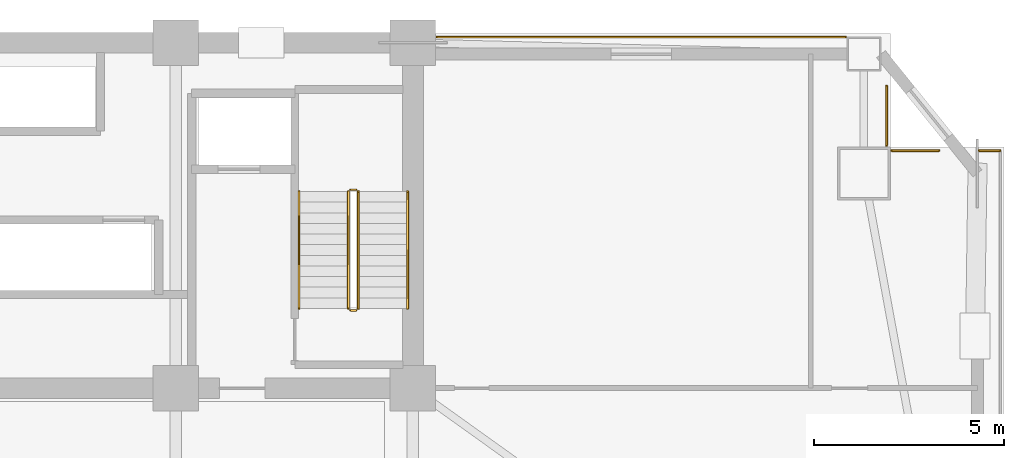
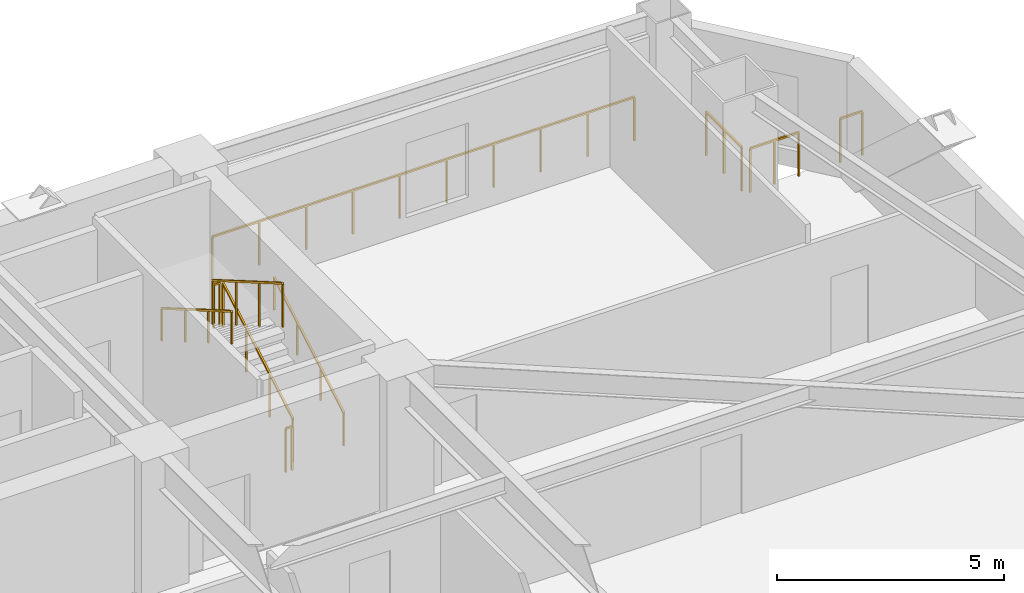
# One storey, part 15 of 15: 10 railings.
"""IFC4 building model written with IfcOpenShell, lengths in metres."""

import ifcopenshell
import ifcopenshell.guid

model = None  # the IFC model being written
_history = None  # IfcOwnerHistory: only IFC2X3 demands one
_inside = {}  # id of a spatial element -> (the spatial element, [elements in it])
_under = {}  # id of a project, library or spatial element -> (it, [spatial elements below it])
_declared = {}  # id of a project -> (the project, [libraries it declares])
_typed = {}  # id of a type object -> (the type object, [elements of that type])
_made_of = {}  # id of a material, layer set ... -> (it, [elements and type objects made of it])


def new_model(schema):
    """Start an empty IFC model of exactly this schema.

    Asked for "IFC4X3", IfcOpenShell would pick the latest addendum, in which some entities
    have other attributes; the version numbers below select the first issue.
    IFC2X3 requires an IfcOwnerHistory on every rooted entity: one is made here for all.
    """
    global model, _history
    if schema == "IFC4X3":
        model = ifcopenshell.file(schema_version=(4, 3, 0, 0))
    else:
        model = ifcopenshell.file(schema=schema)
    _inside.clear()
    _under.clear()
    _declared.clear()
    _typed.clear()
    _made_of.clear()
    _history = None
    if model.schema == "IFC2X3":
        org = make("IfcOrganization", Name="unknown")
        user = make(
            "IfcPersonAndOrganization",
            ThePerson=make("IfcPerson", FamilyName="unknown"),
            TheOrganization=org,
        )
        app = make(
            "IfcApplication",
            ApplicationDeveloper=org,
            Version="unknown",
            ApplicationFullName="unknown",
            ApplicationIdentifier="unknown",
        )
        _history = make(
            "IfcOwnerHistory",
            OwningUser=user,
            OwningApplication=app,
            ChangeAction="ADDED",
            CreationDate=0,
        )
    return model


def make(cls, **values):
    """One entity of the class cls with the attributes given. An attribute that is None is left unset."""
    return model.create_entity(
        cls, **{name: value for name, value in values.items() if value is not None}
    )


def rooted(cls, **values):
    """An entity with a GlobalId (a new one), such as an element, a storey or a relation."""
    return make(cls, GlobalId=ifcopenshell.guid.new(), OwnerHistory=_history, **values)


def si_unit(unit_type, name, prefix=None):
    """IfcSIUnit, for example si_unit("LENGTHUNIT", "METRE", prefix="MILLI")."""
    return make("IfcSIUnit", UnitType=unit_type, Prefix=prefix, Name=name)


def assignment(units):
    """IfcUnitAssignment: the units of a project."""
    return None if units is None else make("IfcUnitAssignment", Units=units)


def point(xyz):
    """IfcCartesianPoint."""
    return None if xyz is None else make("IfcCartesianPoint", Coordinates=xyz)


def direction(xyz):
    """IfcDirection."""
    return None if xyz is None else make("IfcDirection", DirectionRatios=xyz)


def frame(location, z_axis=None, x_axis=None):
    """IfcAxis2Placement3D, a coordinate frame: its origin and axes. An axis left out is left unset."""
    return make(
        "IfcAxis2Placement3D",
        Location=point(location),
        Axis=direction(z_axis),
        RefDirection=direction(x_axis),
    )


def frame_2d(location, x_axis=None):
    """IfcAxis2Placement2D, a coordinate frame in the plane: its origin and x axis."""
    return make(
        "IfcAxis2Placement2D", Location=point(location), RefDirection=direction(x_axis)
    )


def origin():
    """The frame at (0, 0, 0) with its axes left unset."""
    return frame((0.0, 0.0, 0.0))


def origin_2d():
    """The frame at (0, 0) in the plane with its x axis left unset."""
    return frame_2d((0.0, 0.0))


def place(relative_to, where):
    """IfcLocalPlacement: puts the frame where relative to a parent placement (None: the world)."""
    return make(
        "IfcLocalPlacement", PlacementRelTo=relative_to, RelativePlacement=where
    )


def context(
    kind, dimensions, precision=None, world=None, true_north=None, identifier=None
):
    """IfcGeometricRepresentationContext, for example the 3D "Model" context."""
    return make(
        "IfcGeometricRepresentationContext",
        ContextIdentifier=identifier,
        ContextType=kind,
        CoordinateSpaceDimension=dimensions,
        Precision=precision,
        WorldCoordinateSystem=world,
        TrueNorth=true_north,
    )


def subcontext(parent, identifier, kind, view, scale=None):
    """IfcGeometricRepresentationSubContext, for example "Body" below "Model"."""
    return make(
        "IfcGeometricRepresentationSubContext",
        ContextIdentifier=identifier,
        ContextType=kind,
        ParentContext=parent,
        TargetScale=scale,
        TargetView=view,
    )


def project(units=None, contexts=None):
    """IfcProject with its units and contexts."""
    return rooted(
        "IfcProject",
        Name="project",
        RepresentationContexts=contexts,
        UnitsInContext=assignment(units),
    )


def spatial(cls, under=None, at=None, **own):
    """A site, building, storey or space (cls), placed at a placement, below another one or the project."""
    s = rooted(cls, ObjectPlacement=at, **own)
    if under is not None:
        _under.setdefault(under.id(), (under, []))[1].append(s)
    return s


def profile(cls, at=None, kind="AREA", **sizes):
    """A parametric profile (cls). Its sizes go by their IFC names, for example OverallWidth=200.0."""
    return make(cls, ProfileType=kind, Position=at, **sizes)


def rectangle(**sizes):
    """IfcRectangleProfileDef."""
    return profile("IfcRectangleProfileDef", **sizes)


def extrude(swept, where, along, depth):
    """IfcExtrudedAreaSolid: the profile swept, set in the frame where, extruded along a direction by depth."""
    return make(
        "IfcExtrudedAreaSolid",
        SweptArea=swept,
        Position=where,
        ExtrudedDirection=direction(along),
        Depth=depth,
    )


def shape(context_of_items, identifier, shape_type, items):
    """IfcShapeRepresentation: the items that make up one representation, for example the "Body"."""
    return make(
        "IfcShapeRepresentation",
        ContextOfItems=context_of_items,
        RepresentationIdentifier=identifier,
        RepresentationType=shape_type,
        Items=items,
    )


def material(Name=None, Category=None):
    """IfcMaterial."""
    return make("IfcMaterial", Name=Name, Category=Category)


def made_of(thing, what):
    """Note that an element or type object is made of a material, layer set ...; save() writes the relation."""
    if what is not None:
        _made_of.setdefault(what.id(), (what, []))[1].append(thing)
    return thing


def type_object(cls, material=None, **own):
    """A type object (cls), such as IfcWallType, which elements share."""
    return made_of(rooted(cls, **own), material)


def element(
    cls,
    number,
    at=None,
    inside=None,
    cuts=None,
    type_object=None,
    material=None,
    context=None,
    identifier="Body",
    shape_type=None,
    held_by="IfcProductDefinitionShape",
    body=None,
    shapes=None,
    **own,
):
    """One element of the class cls, such as IfcWall. Its Tag is "e" and its number.

    at: its placement. inside: the storey or other place that contains it. cuts: it is an
    opening in that element (IfcRelVoidsElement). A single representation is given by context,
    identifier, shape_type and body (its items); several are given by shapes. held_by: the class
    of the entity that holds the representations. save() writes the other relations.
    """
    e = rooted(cls, Tag="e%d" % number, ObjectPlacement=at, **own)
    if body is not None:
        shapes = [shape(context, identifier, shape_type, body)]
    if shapes is not None:
        e.Representation = make(held_by, Representations=shapes)
    if inside is not None:
        _inside.setdefault(inside.id(), (inside, []))[1].append(e)
    if cuts is not None:
        rooted(
            "IfcRelVoidsElement", RelatingBuildingElement=cuts, RelatedOpeningElement=e
        )
    if type_object is not None:
        _typed.setdefault(type_object.id(), (type_object, []))[1].append(e)
    return made_of(e, material)


def aggregate(whole, parts):
    """IfcRelAggregates: a whole, such as a stair, and the parts it consists of."""
    return rooted("IfcRelAggregates", RelatingObject=whole, RelatedObjects=parts)


def save(model, path):
    """Write the relations noted so far, then the file.

    IfcRelAggregates (storeys below a building ...), IfcRelContainedInSpatialStructure (elements
    in a storey), IfcRelDefinesByType, IfcRelAssociatesMaterial and IfcRelDeclares: one each for
    every whole, place, type object, material and project.
    """
    for whole, parts in _under.values():
        aggregate(whole, parts)
    for where, things in _inside.values():
        rooted(
            "IfcRelContainedInSpatialStructure",
            RelatedElements=things,
            RelatingStructure=where,
        )
    for kind, things in _typed.values():
        rooted("IfcRelDefinesByType", RelatedObjects=things, RelatingType=kind)
    for what, things in _made_of.values():
        rooted("IfcRelAssociatesMaterial", RelatedObjects=things, RelatingMaterial=what)
    for by, libraries in _declared.values():
        rooted("IfcRelDeclares", RelatingContext=by, RelatedDefinitions=libraries)
    model.write(path)


model = new_model("IFC4")

# Units and contexts
model_context = context("Model", 3, precision=1e-05, world=origin(), true_north=direction((0.0, 1.0)))
body_context = subcontext(model_context, "Body", "Model", "MODEL_VIEW")
ifc_project = project(units=[si_unit("LENGTHUNIT", "METRE"), si_unit("AREAUNIT", "SQUARE_METRE"), si_unit("VOLUMEUNIT", "CUBIC_METRE"), si_unit("PLANEANGLEUNIT", "RADIAN"), si_unit("MASSUNIT", "GRAM", prefix="KILO")], contexts=[model_context])

# Site, building, storey
site_placement = place(None, origin())
site = spatial("IfcSite", under=ifc_project, at=site_placement, CompositionType="ELEMENT")
building_placement = place(site_placement, origin())
building = spatial("IfcBuilding", under=site, at=building_placement, Name="Giltprow Tower", CompositionType="ELEMENT")
storey_placement = place(building_placement, frame((0.0, 0.0, 123.10009765625)))
storey = spatial("IfcBuildingStorey", under=building, at=storey_placement, Name="L30", CompositionType="ELEMENT", Elevation=123.10009765625)

# Railings
ifc_material = material(Name="Anodized bronze", Category="metal")
railing_type_1 = type_object("IfcRailingType", Name="RAIL-BALC-GUARD-1200", PredefinedType="BALUSTRADE", material=ifc_material)
railing_1_placement = place(storey_placement, frame((51.18505859375, 46.699951171875, 0.0)))
element("IfcRailing", 1, at=railing_1_placement, inside=storey, type_object=railing_type_1, Name="L30 Corner Apron Edge Balustrade 10", PredefinedType="BALUSTRADE", context=body_context, shape_type="SweptSolid", body=[
    extrude(rectangle(XDim=0.048095703125, YDim=0.048095703125, at=origin_2d()), frame((0.0, 0.0, 1.17578125), z_axis=(1.0, 0.0, 0.0), x_axis=(0.0, 1.0, 0.0)), (0.0, 0.0, 1.0), 10.760009765625),
    extrude(rectangle(XDim=0.0419921875, YDim=0.0419921875, at=origin_2d()), origin(), (0.0, 0.0, 1.0), 1.15185546875),
    extrude(rectangle(XDim=0.0419921875, YDim=0.0419921875, at=origin_2d()), frame((1.195556640625, 0.0, 0.0)), (0.0, 0.0, 1.0), 1.15185546875),
    extrude(rectangle(XDim=0.0419921875, YDim=0.0419921875, at=origin_2d()), frame((2.39111328125, 0.0, 0.0)), (0.0, 0.0, 1.0), 1.15185546875),
    extrude(rectangle(XDim=0.0419921875, YDim=0.0419921875, at=origin_2d()), frame((3.586669921875, 0.0, 0.0)), (0.0, 0.0, 1.0), 1.15185546875),
    extrude(rectangle(XDim=0.0419921875, YDim=0.0419921875, at=origin_2d()), frame((4.7822265625, 0.0, 0.0)), (0.0, 0.0, 1.0), 1.15185546875),
    extrude(rectangle(XDim=0.0419921875, YDim=0.0419921875, at=origin_2d()), frame((5.977783203125, 0.0, 0.0)), (0.0, 0.0, 1.0), 1.15185546875),
    extrude(rectangle(XDim=0.0419921875, YDim=0.0419921875, at=origin_2d()), frame((7.17333984375, 0.0, 0.0)), (0.0, 0.0, 1.0), 1.15185546875),
    extrude(rectangle(XDim=0.0419921875, YDim=0.0419921875, at=origin_2d()), frame((8.368896484375, 0.0, 0.0)), (0.0, 0.0, 1.0), 1.15185546875),
    extrude(rectangle(XDim=0.0419921875, YDim=0.0419921875, at=origin_2d()), frame((9.564453125, 0.0, 0.0)), (0.0, 0.0, 1.0), 1.15185546875),
    extrude(rectangle(XDim=0.0419921875, YDim=0.0419921875, at=origin_2d()), frame((10.760009765625, 0.0, 0.0)), (0.0, 0.0, 1.0), 1.15185546875),
])
railing_2_placement = place(storey_placement, frame((63.030029296875, 45.4130859375, 0.0)))
element("IfcRailing", 2, at=railing_2_placement, inside=storey, type_object=railing_type_1, Name="L30 Corner Apron Edge Balustrade 11", PredefinedType="BALUSTRADE", context=body_context, shape_type="SweptSolid", body=[
    extrude(rectangle(XDim=0.048095703125, YDim=0.048095703125, at=origin_2d()), frame((0.0, 0.0, 1.17578125), z_axis=(0.0, -1.0, 0.0), x_axis=(1.0, 0.0, 0.0)), (0.0, 0.0, 1.0), 1.569091796875),
    extrude(rectangle(XDim=0.0419921875, YDim=0.0419921875, at=origin_2d()), origin(), (0.0, 0.0, 1.0), 1.15185546875),
    extrude(rectangle(XDim=0.0419921875, YDim=0.0419921875, at=origin_2d()), frame((0.0, -0.78466796875, 0.0)), (0.0, 0.0, 1.0), 1.15185546875),
    extrude(rectangle(XDim=0.0419921875, YDim=0.0419921875, at=origin_2d()), frame((0.0, -1.569091796875, 0.0)), (0.0, 0.0, 1.0), 1.15185546875),
])
railing_3_placement = place(storey_placement, frame((63.1650390625, 43.708984375, 0.0)))
element("IfcRailing", 3, at=railing_3_placement, inside=storey, type_object=railing_type_1, Name="L30 Corner Apron Edge Balustrade 12", PredefinedType="BALUSTRADE", context=body_context, shape_type="SweptSolid", body=[
    extrude(rectangle(XDim=0.048095703125, YDim=0.048095703125, at=origin_2d()), frame((0.0, 0.0, 1.17578125), z_axis=(1.0, 0.0, 0.0), x_axis=(0.0, 1.0, 0.0)), (0.0, 0.0, 1.0), 1.242919921875),
    extrude(rectangle(XDim=0.0419921875, YDim=0.0419921875, at=origin_2d()), origin(), (0.0, 0.0, 1.0), 1.15185546875),
    extrude(rectangle(XDim=0.0419921875, YDim=0.0419921875, at=origin_2d()), frame((0.62158203125, 0.0, 0.0)), (0.0, 0.0, 1.0), 1.15185546875),
    extrude(rectangle(XDim=0.0419921875, YDim=0.0419921875, at=origin_2d()), frame((1.242919921875, 0.0, 0.0)), (0.0, 0.0, 1.0), 1.15185546875),
])
railing_4_placement = place(storey_placement, frame((65.462890625, 43.708984375, 0.0)))
element("IfcRailing", 4, at=railing_4_placement, inside=storey, type_object=railing_type_1, Name="L30 Corner Apron Edge Balustrade 13", PredefinedType="BALUSTRADE", context=body_context, shape_type="SweptSolid", body=[
    extrude(rectangle(XDim=0.048095703125, YDim=0.048095703125, at=origin_2d()), frame((0.0, 0.0, 1.17578125), z_axis=(1.0, 0.0, 0.0), x_axis=(0.0, 1.0, 0.0)), (0.0, 0.0, 1.0), 0.55810546875),
    extrude(rectangle(XDim=0.0419921875, YDim=0.0419921875, at=origin_2d()), origin(), (0.0, 0.0, 1.0), 1.15185546875),
    extrude(rectangle(XDim=0.0419921875, YDim=0.0419921875, at=origin_2d()), frame((0.55810546875, 0.0, 0.0)), (0.0, 0.0, 1.0), 1.15185546875),
])
railing_type_2 = type_object("IfcRailingType", Name="RAIL-STAIR-GUARD-1200", PredefinedType="GUARDRAIL", material=ifc_material)
railing_5_placement = place(storey_placement, frame((49.110107421875, 39.550048828125, 0.162353515625)))
element("IfcRailing", 5, at=railing_5_placement, inside=storey, type_object=railing_type_2, Name="L30 ST-3 stair guard 1", PredefinedType="GUARDRAIL", context=body_context, shape_type="SweptSolid", body=[
    extrude(rectangle(XDim=0.048095703125, YDim=0.048095703125, at=origin_2d()), frame((0.0, 0.0, 1.17578125), z_axis=(0.0, 0.864873446163, 0.501989962173), x_axis=(-1.0, 0.0, 0.0)), (0.0, 0.0, 1.0), 3.56103515625),
    extrude(rectangle(XDim=0.0419921875, YDim=0.0419921875, at=origin_2d()), origin(), (0.0, 0.0, 1.0), 1.15185546875),
    extrude(rectangle(XDim=0.0419921875, YDim=0.0419921875, at=origin_2d()), frame((0.0, 1.026611328125, 0.595947265625)), (0.0, 0.0, 1.0), 1.15185546875),
    extrude(rectangle(XDim=0.0419921875, YDim=0.0419921875, at=origin_2d()), frame((0.0, 2.05322265625, 1.191650390625)), (0.0, 0.0, 1.0), 1.15185546875),
    extrude(rectangle(XDim=0.0419921875, YDim=0.0419921875, at=origin_2d()), frame((0.0, 3.079833984375, 1.78759765625)), (0.0, 0.0, 1.0), 1.15185546875),
])
railing_6_placement = place(storey_placement, frame((49.06005859375, 42.679931640625, 1.949951171875)))
element("IfcRailing", 6, at=railing_6_placement, inside=storey, type_object=railing_type_2, Name="L30 ST-3 stair guard 2", PredefinedType="GUARDRAIL", context=body_context, shape_type="SweptSolid", body=[
    extrude(rectangle(XDim=0.048095703125, YDim=0.048095703125, at=origin_2d()), frame((0.0, 0.0, 1.17578125), z_axis=(-1.0, 0.0, 0.0), x_axis=(0.0, -1.0, 0.0)), (0.0, 0.0, 1.0), 0.16015625),
    extrude(rectangle(XDim=0.0419921875, YDim=0.0419921875, at=origin_2d()), origin(), (0.0, 0.0, 1.0), 1.15185546875),
    extrude(rectangle(XDim=0.0419921875, YDim=0.0419921875, at=origin_2d()), frame((-0.16015625, 0.0, 0.0)), (0.0, 0.0, 1.0), 1.15185546875),
])
railing_7_placement = place(storey_placement, frame((48.85009765625, 42.6298828125, 2.1123046875)))
element("IfcRailing", 7, at=railing_7_placement, inside=storey, type_object=railing_type_2, Name="L30 ST-3 stair guard 3", PredefinedType="GUARDRAIL", context=body_context, shape_type="SweptSolid", body=[
    extrude(rectangle(XDim=0.048095703125, YDim=0.048095703125, at=origin_2d()), frame((0.0, 0.0, 1.17578125), z_axis=(0.0, -0.864873446163, 0.501989962173), x_axis=(1.0, 0.0, 0.0)), (0.0, 0.0, 1.0), 3.56103515625),
    extrude(rectangle(XDim=0.0419921875, YDim=0.0419921875, at=origin_2d()), origin(), (0.0, 0.0, 1.0), 1.15185546875),
    extrude(rectangle(XDim=0.0419921875, YDim=0.0419921875, at=origin_2d()), frame((0.0, -1.026611328125, 0.595947265625)), (0.0, 0.0, 1.0), 1.15185546875),
    extrude(rectangle(XDim=0.0419921875, YDim=0.0419921875, at=origin_2d()), frame((0.0, -2.05322265625, 1.191650390625)), (0.0, 0.0, 1.0), 1.15185546875),
    extrude(rectangle(XDim=0.0419921875, YDim=0.0419921875, at=origin_2d()), frame((0.0, -3.079833984375, 1.78759765625)), (0.0, 0.0, 1.0), 1.15185546875),
])
railing_8_placement = place(storey_placement, frame((49.06005859375, 39.5, 0.0)))
element("IfcRailing", 8, at=railing_8_placement, inside=storey, type_object=railing_type_2, Name="L30 ST-3 stair guard 4", PredefinedType="GUARDRAIL", context=body_context, shape_type="SweptSolid", body=[
    extrude(rectangle(XDim=0.048095703125, YDim=0.048095703125, at=origin_2d()), frame((0.0, 0.0, 1.17578125), z_axis=(-1.0, 0.0, 0.0), x_axis=(0.0, -1.0, 0.0)), (0.0, 0.0, 1.0), 0.16015625),
    extrude(rectangle(XDim=0.0419921875, YDim=0.0419921875, at=origin_2d()), origin(), (0.0, 0.0, 1.0), 1.15185546875),
    extrude(rectangle(XDim=0.0419921875, YDim=0.0419921875, at=origin_2d()), frame((-0.16015625, 0.0, 0.0)), (0.0, 0.0, 1.0), 1.15185546875),
])
railing_type_3 = type_object("IfcRailingType", Name="RAIL-STAIR-HAND-900", PredefinedType="HANDRAIL", material=ifc_material)
railing_9_placement = place(storey_placement, frame((50.409912109375, 39.550048828125, 0.162353515625)))
element("IfcRailing", 9, at=railing_9_placement, inside=storey, type_object=railing_type_3, Name="L30 ST-3 stair handrail 1", PredefinedType="HANDRAIL", context=body_context, shape_type="SweptSolid", body=[
    extrude(rectangle(XDim=0.048095703125, YDim=0.048095703125, at=origin_2d()), frame((0.0, 0.0, 0.8759765625), z_axis=(0.0, 0.864873446163, 0.501989962173), x_axis=(-1.0, 0.0, 0.0)), (0.0, 0.0, 1.0), 3.56103515625),
    extrude(rectangle(XDim=0.0419921875, YDim=0.0419921875, at=origin_2d()), origin(), (0.0, 0.0, 1.0), 0.851806640625),
    extrude(rectangle(XDim=0.0419921875, YDim=0.0419921875, at=origin_2d()), frame((0.0, 1.026611328125, 0.595947265625)), (0.0, 0.0, 1.0), 0.851806640625),
    extrude(rectangle(XDim=0.0419921875, YDim=0.0419921875, at=origin_2d()), frame((0.0, 2.05322265625, 1.191650390625)), (0.0, 0.0, 1.0), 0.851806640625),
    extrude(rectangle(XDim=0.0419921875, YDim=0.0419921875, at=origin_2d()), frame((0.0, 3.079833984375, 1.78759765625)), (0.0, 0.0, 1.0), 0.851806640625),
])
railing_10_placement = place(storey_placement, frame((47.550048828125, 42.6298828125, 2.1123046875)))
element("IfcRailing", 10, at=railing_10_placement, inside=storey, type_object=railing_type_3, Name="L30 ST-3 stair handrail 2", PredefinedType="HANDRAIL", context=body_context, shape_type="SweptSolid", body=[
    extrude(rectangle(XDim=0.048095703125, YDim=0.048095703125, at=origin_2d()), frame((0.0, 0.0, 0.8759765625), z_axis=(0.0, -0.864873446163, 0.501989962173), x_axis=(1.0, 0.0, 0.0)), (0.0, 0.0, 1.0), 3.56103515625),
    extrude(rectangle(XDim=0.0419921875, YDim=0.0419921875, at=origin_2d()), origin(), (0.0, 0.0, 1.0), 0.851806640625),
    extrude(rectangle(XDim=0.0419921875, YDim=0.0419921875, at=origin_2d()), frame((0.0, -1.026611328125, 0.595947265625)), (0.0, 0.0, 1.0), 0.851806640625),
    extrude(rectangle(XDim=0.0419921875, YDim=0.0419921875, at=origin_2d()), frame((0.0, -2.05322265625, 1.191650390625)), (0.0, 0.0, 1.0), 0.851806640625),
    extrude(rectangle(XDim=0.0419921875, YDim=0.0419921875, at=origin_2d()), frame((0.0, -3.079833984375, 1.78759765625)), (0.0, 0.0, 1.0), 0.851806640625),
])

save(model, "model.ifc")
